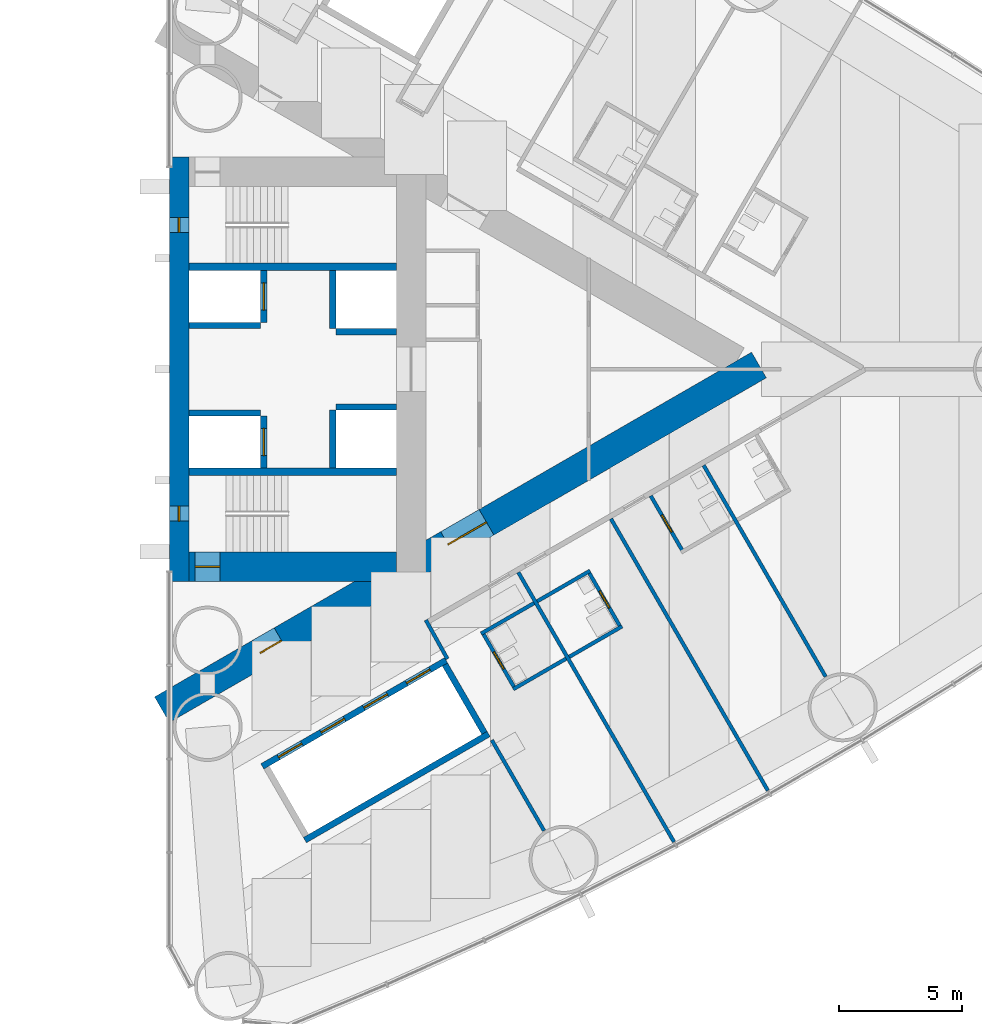
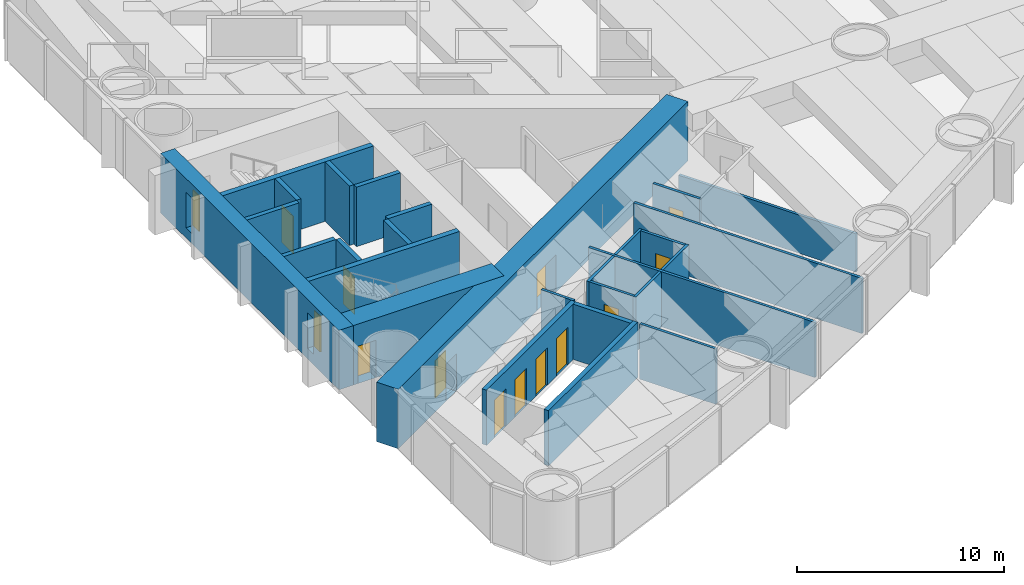
# One storey, part 14 of 19: 28 walls, 12 doors, 2 windows, 14 openings.
"""IFC4 building model written with IfcOpenShell, lengths in metres."""

from ifc_helpers import new_model, si_unit, direction, frame, frame_2d, origin, place, context, subcontext, project, spatial, rectangle, extrude, material, layer, layer_set, type_object, element, fill, save


model = new_model("IFC4")

# Units and contexts
model_context = context("Model", 3, precision=1e-05, world=origin(), true_north=direction((0.0, 1.0)))
body_context = subcontext(model_context, "Body", "Model", "MODEL_VIEW")
ifc_project = project(units=[si_unit("LENGTHUNIT", "METRE"), si_unit("AREAUNIT", "SQUARE_METRE"), si_unit("VOLUMEUNIT", "CUBIC_METRE"), si_unit("PLANEANGLEUNIT", "RADIAN"), si_unit("MASSUNIT", "GRAM", prefix="KILO")], contexts=[model_context])

# Site, building, storey
site_placement = place(None, origin())
site = spatial("IfcSite", under=ifc_project, at=site_placement, CompositionType="ELEMENT")
building_placement = place(site_placement, origin())
building = spatial("IfcBuilding", under=site, at=building_placement, Name="Lancet Gate Hotel", CompositionType="ELEMENT")
storey_placement = place(building_placement, frame((0.0, 0.0, 35.5)))
storey = spatial("IfcBuildingStorey", under=building, at=storey_placement, Name="L08", CompositionType="ELEMENT", Elevation=35.5)

# Wall
ifc_material_1 = material(Name="Moisture resistant board partition")
ifc_layer_1 = layer(ifc_material_1, 0.14990234375)
ifc_layer_set_1 = layer_set([ifc_layer_1], Name="Bathroom wall 150")
wall_type_1 = type_object("IfcWallType", Name="Bathroom wall 150", PredefinedType="PARTITIONING", material=ifc_layer_set_1)
wall_1_placement = place(storey_placement, frame((43.71240234375, -11.65673828125, 0.0), z_axis=(0.0, 0.0, 1.0), x_axis=(0.866006523861, 0.500032699561, 0.0)))
element("IfcWall", 1, at=wall_1_placement, inside=storey, type_object=wall_type_1, Name="T2 bathroom wall 150 L08", PredefinedType="PARTITIONING", context=body_context, shape_type="SweptSolid", body=[
    extrude(rectangle(XDim=2.474853515625, YDim=0.14990234375, at=frame_2d((1.2373046875, 0.0))), origin(), (0.0, 0.0, 1.0), 3.25),
])

# Wall, opening, door
wall_2_placement = place(storey_placement, frame((44.49072265625, -8.205078125, 0.0), z_axis=(0.0, 0.0, 1.0), x_axis=(0.500047596559, -0.865997922154, 0.0)))
wall_2 = element("IfcWall", 2, at=wall_2_placement, inside=storey, type_object=wall_type_1, Name="T2 bathroom wall 150 L08", PredefinedType="PARTITIONING", context=body_context, shape_type="SweptSolid", body=[
    extrude(rectangle(XDim=2.599853515625, YDim=0.14990234375, at=frame_2d((1.2998046875, 0.0))), origin(), (0.0, 0.0, 1.0), 3.25),
])
opening_1_placement = place(wall_2_placement, frame((0.89990234375, 0.0, 0.0)))
opening_1 = element("IfcOpeningElement", 3, at=opening_1_placement, cuts=wall_2, Name="Opening 0854-B", PredefinedType="OPENING", context=body_context, shape_type="SweptSolid", body=[
    extrude(rectangle(XDim=0.800048828125, YDim=2.199951171875, at=frame_2d((0.39990234375, 1.10009765625))), frame((0.0, 0.0849609375, 0.0), z_axis=(0.0, -1.0, 0.0), x_axis=(1.0, 0.0, 0.0)), (0.0, 0.0, 1.0), 0.169921875),
])
ifc_material_2 = material(Name="Timber door set", Category="wood")
door_type_1 = type_object("IfcDoorType", Name="Bathroom door 800", OperationType="SINGLE_SWING_RIGHT", PredefinedType="DOOR", material=ifc_material_2)
door_1_placement = place(opening_1_placement, origin())
door_1 = element("IfcDoor", 4, at=door_1_placement, inside=storey, type_object=door_type_1, Name="0854-B", OperationType="SINGLE_SWING_RIGHT", OverallHeight=2.199951171875, OverallWidth=0.800048828125, PredefinedType="DOOR", context=body_context, shape_type="SweptSolid", body=[
    extrude(rectangle(XDim=0.800048828125, YDim=2.199951171875, at=frame_2d((0.39990234375, 1.10009765625))), frame((0.0, 0.02490234375, 0.0), z_axis=(0.0, -1.0, 0.0), x_axis=(1.0, 0.0, 0.0)), (0.0, 0.0, 1.0), 0.050048828125),
])
fill(opening_1, door_1)

# Wall
wall_3_placement = place(storey_placement, frame((42.412353515625, -9.405029296875, 0.0), z_axis=(0.0, 0.0, 1.0), x_axis=(0.866006523861, 0.500032699561, 0.0)))
element("IfcWall", 5, at=wall_3_placement, inside=storey, type_object=wall_type_1, Name="T2 bathroom wall 150 L08", PredefinedType="PARTITIONING", context=body_context, shape_type="SweptSolid", body=[
    extrude(rectangle(XDim=2.474853515625, YDim=0.14990234375, at=frame_2d((1.2373046875, 0.0))), origin(), (0.0, 0.0, 1.0), 3.25),
])

# Wall, opening, door
wall_4_placement = place(storey_placement, frame((47.01611328125, -5.13037109375, 0.0), z_axis=(0.0, 0.0, 1.0), x_axis=(0.500006934395, -0.866021400173, 0.0)))
wall_4 = element("IfcWall", 6, at=wall_4_placement, inside=storey, type_object=wall_type_1, Name="T2 bathroom wall 150 L08", PredefinedType="PARTITIONING", context=body_context, shape_type="SweptSolid", body=[
    extrude(rectangle(XDim=2.60009765625, YDim=0.14990234375, at=frame_2d((1.300048828125, 0.0))), origin(), (0.0, 0.0, 1.0), 3.25),
])
opening_2_placement = place(wall_4_placement, frame((0.89990234375, 0.0, 0.0)))
opening_2 = element("IfcOpeningElement", 7, at=opening_2_placement, cuts=wall_4, Name="Opening 0855-B", PredefinedType="OPENING", context=body_context, shape_type="SweptSolid", body=[
    extrude(rectangle(XDim=0.800048828125, YDim=2.199951171875, at=frame_2d((0.39990234375, 1.10009765625))), frame((0.0, 0.0849609375, 0.0), z_axis=(0.0, -1.0, 0.0), x_axis=(1.0, 0.0, 0.0)), (0.0, 0.0, 1.0), 0.169921875),
])
door_2_placement = place(opening_2_placement, origin())
door_2 = element("IfcDoor", 8, at=door_2_placement, inside=storey, type_object=door_type_1, Name="0855-B", OperationType="SINGLE_SWING_RIGHT", OverallHeight=2.199951171875, OverallWidth=0.800048828125, PredefinedType="DOOR", context=body_context, shape_type="SweptSolid", body=[
    extrude(rectangle(XDim=0.800048828125, YDim=2.199951171875, at=frame_2d((0.39990234375, 1.10009765625))), frame((0.0, 0.02490234375, 0.0), z_axis=(0.0, -1.0, 0.0), x_axis=(1.0, 0.0, 0.0)), (0.0, 0.0, 1.0), 0.050048828125),
])
fill(opening_2, door_2)

# Wall
wall_5_placement = place(storey_placement, frame((41.43896484375, -12.96923828125, 0.0), z_axis=(0.0, 0.0, 1.0), x_axis=(0.866031185235, 0.4999899861, 0.0)))
element("IfcWall", 9, at=wall_5_placement, inside=storey, type_object=wall_type_1, Name="T2 bathroom wall 150 L08", PredefinedType="PARTITIONING", context=body_context, shape_type="SweptSolid", body=[
    extrude(rectangle(XDim=2.47509765625, YDim=0.14990234375, at=frame_2d((1.237548828125, 0.0))), origin(), (0.0, 0.0, 1.0), 3.25),
])

# Wall, opening, door
wall_6_placement = place(storey_placement, frame((40.203857421875, -10.679931640625, 0.0), z_axis=(0.0, 0.0, 1.0), x_axis=(0.500006934395, -0.866021400173, 0.0)))
wall_6 = element("IfcWall", 10, at=wall_6_placement, inside=storey, type_object=wall_type_1, Name="T2 bathroom wall 150 L08", PredefinedType="PARTITIONING", context=body_context, shape_type="SweptSolid", body=[
    extrude(rectangle(XDim=2.60009765625, YDim=0.14990234375, at=frame_2d((1.300048828125, 0.0))), origin(), (0.0, 0.0, 1.0), 3.25),
])
opening_3_placement = place(wall_6_placement, frame((0.89990234375, 0.0, 0.0)))
opening_3 = element("IfcOpeningElement", 11, at=opening_3_placement, cuts=wall_6, Name="Opening 0853-B", PredefinedType="OPENING", context=body_context, shape_type="SweptSolid", body=[
    extrude(rectangle(XDim=0.800048828125, YDim=2.199951171875, at=frame_2d((0.39990234375, 1.10009765625))), frame((0.0, 0.0849609375, 0.0), z_axis=(0.0, -1.0, 0.0), x_axis=(1.0, 0.0, 0.0)), (0.0, 0.0, 1.0), 0.169921875),
])
door_3_placement = place(opening_3_placement, origin())
door_3 = element("IfcDoor", 12, at=door_3_placement, inside=storey, type_object=door_type_1, Name="0853-B", OperationType="SINGLE_SWING_RIGHT", OverallHeight=2.199951171875, OverallWidth=0.800048828125, PredefinedType="DOOR", context=body_context, shape_type="SweptSolid", body=[
    extrude(rectangle(XDim=0.800048828125, YDim=2.199951171875, at=frame_2d((0.39990234375, 1.10009765625))), frame((0.0, 0.02490234375, 0.0), z_axis=(0.0, -1.0, 0.0), x_axis=(1.0, 0.0, 0.0)), (0.0, 0.0, 1.0), 0.050048828125),
])
fill(opening_3, door_3)

# Wall
wall_7_placement = place(storey_placement, frame((40.138916015625, -10.717529296875, 0.0), z_axis=(0.0, 0.0, 1.0), x_axis=(0.866031185235, 0.4999899861, 0.0)))
element("IfcWall", 13, at=wall_7_placement, inside=storey, type_object=wall_type_1, Name="T2 bathroom wall 150 L08", PredefinedType="PARTITIONING", context=body_context, shape_type="SweptSolid", body=[
    extrude(rectangle(XDim=2.47509765625, YDim=0.14990234375, at=frame_2d((1.237548828125, 0.0))), origin(), (0.0, 0.0, 1.0), 3.25),
])

# Wall, openings, doors
ifc_material_3 = material(Name="Concrete C70/85", Category="concrete")
ifc_layer_2 = layer(ifc_material_3, 1.199951171875)
ifc_layer_set_2 = layer_set([ifc_layer_2], Name="Buttress wall 1200")
wall_type_2 = type_object("IfcWallType", Name="Buttress wall 1200", PredefinedType="SHEAR", material=ifc_layer_set_2)
wall_8_placement = place(storey_placement, frame((27.199951171875, -13.800048828125, 0.0), z_axis=(0.0, 0.0, 1.0), x_axis=(0.866027159892, 0.499996958321, 0.0)))
wall_8 = element("IfcWall", 14, at=wall_8_placement, inside=storey, type_object=wall_type_2, Name="T2 buttress wall S L08", PredefinedType="SHEAR", context=body_context, shape_type="SweptSolid", body=[
    extrude(rectangle(XDim=27.946533203125, YDim=1.199951171875, at=frame_2d((13.97314453125, 0.0))), origin(), (0.0, 0.0, 1.0), 3.5),
])
opening_4_placement = place(wall_8_placement, frame((4.60009765625, 0.0, 0.0)))
opening_4 = element("IfcOpeningElement", 15, at=opening_4_placement, cuts=wall_8, Name="Opening T2-L08-LS", PredefinedType="OPENING", context=body_context, shape_type="SweptSolid", body=[
    extrude(rectangle(XDim=1.0, YDim=2.199951171875, at=frame_2d((0.5, 1.10009765625))), frame((0.0, 0.60986328125, 0.0), z_axis=(0.0, -1.0, 0.0), x_axis=(1.0, 0.0, 0.0)), (0.0, 0.0, 1.0), 1.219970703125),
])
opening_5_placement = place(wall_8_placement, frame((13.39453125, 0.0, 0.0)))
opening_5 = element("IfcOpeningElement", 16, at=opening_5_placement, cuts=wall_8, Name="Opening T2-L08-LHS", PredefinedType="OPENING", context=body_context, shape_type="SweptSolid", body=[
    extrude(rectangle(XDim=1.800048828125, YDim=2.199951171875, at=frame_2d((0.89990234375, 1.10009765625))), frame((0.0, 0.60986328125, 0.0), z_axis=(0.0, -1.0, 0.0), x_axis=(1.0, 0.0, 0.0)), (0.0, 0.0, 1.0), 1.219970703125),
])
ifc_material_4 = material(Name="Timber door set", Category="wood")
door_type_2 = type_object("IfcDoorType", Name="Lobby double door 1800", OperationType="DOUBLE_DOOR_SINGLE_SWING", PredefinedType="DOOR", material=ifc_material_4)
door_4_placement = place(opening_5_placement, origin())
door_4 = element("IfcDoor", 17, at=door_4_placement, inside=storey, type_object=door_type_2, Name="T2-L08-LHS", OperationType="DOUBLE_DOOR_SINGLE_SWING", OverallHeight=2.199951171875, OverallWidth=1.800048828125, PredefinedType="DOOR", context=body_context, shape_type="SweptSolid", body=[
    extrude(rectangle(XDim=1.800048828125, YDim=2.199951171875, at=frame_2d((0.89990234375, 1.10009765625))), frame((0.0, 0.02490234375, 0.0), z_axis=(0.0, -1.0, 0.0), x_axis=(1.0, 0.0, 0.0)), (0.0, 0.0, 1.0), 0.050048828125),
])
fill(opening_5, door_4)
ifc_material_5 = material(Name="Timber door set", Category="wood")
door_type_3 = type_object("IfcDoorType", Name="Stair lobby door 1000", OperationType="SINGLE_SWING_LEFT", PredefinedType="DOOR", material=ifc_material_5)
door_5_placement = place(opening_4_placement, origin())
door_5 = element("IfcDoor", 18, at=door_5_placement, inside=storey, type_object=door_type_3, Name="T2-L08-LS", OperationType="SINGLE_SWING_LEFT", OverallHeight=2.199951171875, OverallWidth=1.0, PredefinedType="DOOR", context=body_context, shape_type="SweptSolid", body=[
    extrude(rectangle(XDim=1.0, YDim=2.199951171875, at=frame_2d((0.5, 1.10009765625))), frame((0.0, 0.02490234375, 0.0), z_axis=(0.0, -1.0, 0.0), x_axis=(1.0, 0.0, 0.0)), (0.0, 0.0, 1.0), 0.050048828125),
])
fill(opening_4, door_5)

# Wall, opening, door
ifc_material_6 = material(Name="Concrete C70/85", Category="concrete")
ifc_layer_3 = layer(ifc_material_6, 1.199951171875)
ifc_layer_set_3 = layer_set([ifc_layer_3], Name="Core wall 1200")
wall_type_3 = type_object("IfcWallType", Name="Core wall 1200", PredefinedType="SHEAR", material=ifc_layer_set_3)
wall_9_placement = place(storey_placement, frame((28.300048828125, -8.0, 0.0), z_axis=(0.0, 0.0, 1.0), x_axis=(1.0, 0.0, 0.0)))
wall_9 = element("IfcWall", 19, at=wall_9_placement, inside=storey, type_object=wall_type_3, Name="T2 core wall side-S L08", PredefinedType="SHEAR", context=body_context, shape_type="SweptSolid", body=[
    extrude(rectangle(XDim=8.39990234375, YDim=1.199951171875, at=frame_2d((4.199951171875, 0.0))), origin(), (0.0, 0.0, 1.0), 3.5),
])
opening_6_placement = place(wall_9_placement, frame((0.25, 0.0, 0.0)))
opening_6 = element("IfcOpeningElement", 20, at=opening_6_placement, cuts=wall_9, Name="Opening T2-L08-ST1", PredefinedType="OPENING", context=body_context, shape_type="SweptSolid", body=[
    extrude(rectangle(XDim=1.0, YDim=2.199951171875, at=frame_2d((0.5, 1.10009765625))), frame((0.0, 0.60986328125, 0.0), z_axis=(0.0, -1.0, 0.0), x_axis=(1.0, 0.0, 0.0)), (0.0, 0.0, 1.0), 1.219970703125),
])
ifc_material_7 = material(Name="Timber door set", Category="wood")
door_type_4 = type_object("IfcDoorType", Name="Stair door 1000", OperationType="SINGLE_SWING_RIGHT", PredefinedType="DOOR", material=ifc_material_7)
door_6_placement = place(opening_6_placement, origin())
door_6 = element("IfcDoor", 21, at=door_6_placement, inside=storey, type_object=door_type_4, Name="T2-L08-ST1", OperationType="SINGLE_SWING_RIGHT", OverallHeight=2.199951171875, OverallWidth=1.0, PredefinedType="DOOR", context=body_context, shape_type="SweptSolid", body=[
    extrude(rectangle(XDim=1.0, YDim=2.199951171875, at=frame_2d((0.5, 1.10009765625))), frame((0.0, 0.02490234375, 0.0), z_axis=(0.0, -1.0, 0.0), x_axis=(1.0, 0.0, 0.0)), (0.0, 0.0, 1.0), 0.050048828125),
])
fill(opening_6, door_6)

# Wall, openings, windows
ifc_material_8 = material(Name="Concrete C70/85", Category="concrete")
ifc_layer_4 = layer(ifc_material_8, 0.800048828125)
ifc_layer_set_4 = layer_set([ifc_layer_4], Name="Core wall 800")
wall_type_4 = type_object("IfcWallType", Name="Core wall 800", PredefinedType="SHEAR", material=ifc_layer_set_4)
wall_10_placement = place(storey_placement, frame((27.89990234375, -8.60009765625, 0.0), z_axis=(0.0, 0.0, 1.0), x_axis=(0.0, 1.0, 0.0)))
wall_10 = element("IfcWall", 22, at=wall_10_placement, inside=storey, type_object=wall_type_4, Name="T2 core wall front L08", PredefinedType="SHEAR", context=body_context, shape_type="SweptSolid", body=[
    extrude(rectangle(XDim=17.2001953125, YDim=0.800048828125, at=frame_2d((8.60009765625, 0.0))), origin(), (0.0, 0.0, 1.0), 3.5),
])
opening_7_placement = place(wall_10_placement, frame((2.449951171875, 0.0, 0.60009765625)))
opening_7 = element("IfcOpeningElement", 23, at=opening_7_placement, cuts=wall_10, Name="Opening LW1", PredefinedType="OPENING", context=body_context, shape_type="SweptSolid", body=[
    extrude(rectangle(XDim=0.60009765625, YDim=2.10009765625, at=frame_2d((0.300048828125, 1.050048828125))), frame((0.0, 0.409912109375, 0.0), z_axis=(0.0, -1.0, 0.0), x_axis=(1.0, 0.0, 0.0)), (0.0, 0.0, 1.0), 0.820068359375),
])
opening_8_placement = place(wall_10_placement, frame((14.14990234375, 0.0, 0.60009765625)))
opening_8 = element("IfcOpeningElement", 24, at=opening_8_placement, cuts=wall_10, Name="Opening LW1", PredefinedType="OPENING", context=body_context, shape_type="SweptSolid", body=[
    extrude(rectangle(XDim=0.60009765625, YDim=2.10009765625, at=frame_2d((0.300048828125, 1.050048828125))), frame((0.0, 0.409912109375, 0.0), z_axis=(0.0, -1.0, 0.0), x_axis=(1.0, 0.0, 0.0)), (0.0, 0.0, 1.0), 0.820068359375),
])
ifc_material_9 = material(Name="Fire-resisting glazed steel window", Category="steel")
window_type = type_object("IfcWindowType", Name="Lancet window 600x2100", PartitioningType="SINGLE_PANEL", PredefinedType="WINDOW", material=ifc_material_9)
window_1_placement = place(opening_7_placement, origin())
window_1 = element("IfcWindow", 25, at=window_1_placement, inside=storey, type_object=window_type, Name="T2 stair window S L08", OverallHeight=2.10009765625, OverallWidth=0.60009765625, PartitioningType="SINGLE_PANEL", PredefinedType="WINDOW", context=body_context, shape_type="SweptSolid", body=[
    extrude(rectangle(XDim=0.60009765625, YDim=2.10009765625, at=frame_2d((0.300048828125, 1.050048828125))), frame((0.0, 0.030029296875, 0.0), z_axis=(0.0, -1.0, 0.0), x_axis=(1.0, 0.0, 0.0)), (0.0, 0.0, 1.0), 0.06005859375),
])
fill(opening_7, window_1)
window_2_placement = place(opening_8_placement, origin())
window_2 = element("IfcWindow", 26, at=window_2_placement, inside=storey, type_object=window_type, Name="T2 stair window N L08", OverallHeight=2.10009765625, OverallWidth=0.60009765625, PartitioningType="SINGLE_PANEL", PredefinedType="WINDOW", context=body_context, shape_type="SweptSolid", body=[
    extrude(rectangle(XDim=0.60009765625, YDim=2.10009765625, at=frame_2d((0.300048828125, 1.050048828125))), frame((0.0, 0.030029296875, 0.0), z_axis=(0.0, -1.0, 0.0), x_axis=(1.0, 0.0, 0.0)), (0.0, 0.0, 1.0), 0.06005859375),
])
fill(opening_8, window_2)

# Wall, openings, doors
ifc_material_10 = material(Name="Gypsum board partition")
ifc_layer_5 = layer(ifc_material_10, 0.25)
ifc_layer_set_5 = layer_set([ifc_layer_5], Name="Lift shaft partition 250")
wall_type_5 = type_object("IfcWallType", Name="Lift shaft partition 250", PredefinedType="PARTITIONING", material=ifc_layer_set_5)
wall_11_placement = place(storey_placement, frame((31.2705078125, -16.09716796875, 0.0), z_axis=(0.0, 0.0, 1.0), x_axis=(0.86604045752, 0.499973925258, 0.0)))
wall_11 = element("IfcWall", 27, at=wall_11_placement, inside=storey, type_object=wall_type_5, Name="T2 lift shaft wall LR L08", PredefinedType="PARTITIONING", context=body_context, shape_type="SweptSolid", body=[
    extrude(rectangle(XDim=8.60009765625, YDim=0.25, at=frame_2d((4.300048828125, 0.0))), origin(), (0.0, 0.0, 1.0), 3.25),
])
opening_9_placement = place(wall_11_placement, frame((0.75, 0.0, 0.0)))
opening_9 = element("IfcOpeningElement", 28, at=opening_9_placement, cuts=wall_11, Name="Opening T2-LR1-L08", PredefinedType="OPENING", context=body_context, shape_type="SweptSolid", body=[
    extrude(rectangle(XDim=1.10009765625, YDim=2.199951171875, at=frame_2d((0.550048828125, 1.10009765625))), frame((0.0, 0.135009765625, 0.0), z_axis=(0.0, -1.0, 0.0), x_axis=(1.0, 0.0, 0.0)), (0.0, 0.0, 1.0), 0.27001953125),
])
opening_10_placement = place(wall_11_placement, frame((2.75, 0.0, 0.0)))
opening_10 = element("IfcOpeningElement", 29, at=opening_10_placement, cuts=wall_11, Name="Opening T2-LR2-L08", PredefinedType="OPENING", context=body_context, shape_type="SweptSolid", body=[
    extrude(rectangle(XDim=1.10009765625, YDim=2.199951171875, at=frame_2d((0.550048828125, 1.10009765625))), frame((0.0, 0.135009765625, 0.0), z_axis=(0.0, -1.0, 0.0), x_axis=(1.0, 0.0, 0.0)), (0.0, 0.0, 1.0), 0.27001953125),
])
opening_11_placement = place(wall_11_placement, frame((4.75, 0.0, 0.0)))
opening_11 = element("IfcOpeningElement", 30, at=opening_11_placement, cuts=wall_11, Name="Opening T2-LR3-L08", PredefinedType="OPENING", context=body_context, shape_type="SweptSolid", body=[
    extrude(rectangle(XDim=1.10009765625, YDim=2.199951171875, at=frame_2d((0.550048828125, 1.10009765625))), frame((0.0, 0.135009765625, 0.0), z_axis=(0.0, -1.0, 0.0), x_axis=(1.0, 0.0, 0.0)), (0.0, 0.0, 1.0), 0.27001953125),
])
opening_12_placement = place(wall_11_placement, frame((6.75, 0.0, 0.0)))
opening_12 = element("IfcOpeningElement", 31, at=opening_12_placement, cuts=wall_11, Name="Opening T2-LR4-L08", PredefinedType="OPENING", context=body_context, shape_type="SweptSolid", body=[
    extrude(rectangle(XDim=1.10009765625, YDim=2.199951171875, at=frame_2d((0.550048828125, 1.10009765625))), frame((0.0, 0.135009765625, 0.0), z_axis=(0.0, -1.0, 0.0), x_axis=(1.0, 0.0, 0.0)), (0.0, 0.0, 1.0), 0.27001953125),
])
ifc_material_11 = material(Name="Steel door set", Category="steel")
door_type_5 = type_object("IfcDoorType", Name="Lift landing door 1100", OperationType="DOUBLE_DOOR_SLIDING", PredefinedType="USERDEFINED", material=ifc_material_11)
door_7_placement = place(opening_9_placement, origin())
door_7 = element("IfcDoor", 32, at=door_7_placement, inside=storey, type_object=door_type_5, Name="T2-LR1-L08", ObjectType="LIFT LANDING DOOR", OperationType="DOUBLE_DOOR_SLIDING", OverallHeight=2.199951171875, OverallWidth=1.10009765625, PredefinedType="USERDEFINED", context=body_context, shape_type="SweptSolid", body=[
    extrude(rectangle(XDim=1.10009765625, YDim=2.199951171875, at=frame_2d((0.550048828125, 1.10009765625))), frame((0.0, 0.02490234375, 0.0), z_axis=(0.0, -1.0, 0.0), x_axis=(1.0, 0.0, 0.0)), (0.0, 0.0, 1.0), 0.050048828125),
])
fill(opening_9, door_7)
door_8_placement = place(opening_10_placement, origin())
door_8 = element("IfcDoor", 33, at=door_8_placement, inside=storey, type_object=door_type_5, Name="T2-LR2-L08", ObjectType="LIFT LANDING DOOR", OperationType="DOUBLE_DOOR_SLIDING", OverallHeight=2.199951171875, OverallWidth=1.10009765625, PredefinedType="USERDEFINED", context=body_context, shape_type="SweptSolid", body=[
    extrude(rectangle(XDim=1.10009765625, YDim=2.199951171875, at=frame_2d((0.550048828125, 1.10009765625))), frame((0.0, 0.02490234375, 0.0), z_axis=(0.0, -1.0, 0.0), x_axis=(1.0, 0.0, 0.0)), (0.0, 0.0, 1.0), 0.050048828125),
])
fill(opening_10, door_8)
door_9_placement = place(opening_11_placement, origin())
door_9 = element("IfcDoor", 34, at=door_9_placement, inside=storey, type_object=door_type_5, Name="T2-LR3-L08", ObjectType="LIFT LANDING DOOR", OperationType="DOUBLE_DOOR_SLIDING", OverallHeight=2.199951171875, OverallWidth=1.10009765625, PredefinedType="USERDEFINED", context=body_context, shape_type="SweptSolid", body=[
    extrude(rectangle(XDim=1.10009765625, YDim=2.199951171875, at=frame_2d((0.550048828125, 1.10009765625))), frame((0.0, 0.02490234375, 0.0), z_axis=(0.0, -1.0, 0.0), x_axis=(1.0, 0.0, 0.0)), (0.0, 0.0, 1.0), 0.050048828125),
])
fill(opening_11, door_9)
door_10_placement = place(opening_12_placement, origin())
door_10 = element("IfcDoor", 35, at=door_10_placement, inside=storey, type_object=door_type_5, Name="T2-LR4-L08", ObjectType="LIFT LANDING DOOR", OperationType="DOUBLE_DOOR_SLIDING", OverallHeight=2.199951171875, OverallWidth=1.10009765625, PredefinedType="USERDEFINED", context=body_context, shape_type="SweptSolid", body=[
    extrude(rectangle(XDim=1.10009765625, YDim=2.199951171875, at=frame_2d((0.550048828125, 1.10009765625))), frame((0.0, 0.02490234375, 0.0), z_axis=(0.0, -1.0, 0.0), x_axis=(1.0, 0.0, 0.0)), (0.0, 0.0, 1.0), 0.050048828125),
])
fill(opening_12, door_10)

# Walls
wall_12_placement = place(storey_placement, frame((32.99560546875, -19.085693359375, 0.0), z_axis=(0.0, 0.0, 1.0), x_axis=(0.866028165386, 0.499995216735, 0.0)))
element("IfcWall", 36, at=wall_12_placement, inside=storey, type_object=wall_type_5, Name="T2 lift shaft wall LR L08", PredefinedType="PARTITIONING", context=body_context, shape_type="SweptSolid", body=[
    extrude(rectangle(XDim=8.60009765625, YDim=0.25, at=frame_2d((4.300048828125, 0.0))), origin(), (0.0, 0.0, 1.0), 3.25),
])
wall_13_placement = place(storey_placement, frame((38.672607421875, -11.968017578125, 0.0), z_axis=(0.0, 0.0, 1.0), x_axis=(0.499929347863, -0.866066190972, 0.0)))
element("IfcWall", 37, at=wall_13_placement, inside=storey, type_object=wall_type_5, Name="T2 lift shaft wall LR L08", PredefinedType="PARTITIONING", context=body_context, shape_type="SweptSolid", body=[
    extrude(rectangle(XDim=3.20068359375, YDim=0.25, at=frame_2d((1.600341796875, 0.0))), origin(), (0.0, 0.0, 1.0), 3.25),
])

# Wall, opening, door
ifc_material_12 = material(Name="Concrete C50/60", Category="concrete")
ifc_layer_6 = layer(ifc_material_12, 0.25)
ifc_layer_set_6 = layer_set([ifc_layer_6], Name="Lift shaft wall 250")
wall_type_6 = type_object("IfcWallType", Name="Lift shaft wall 250", PredefinedType="SHEAR", material=ifc_layer_set_6)
wall_14_placement = place(storey_placement, frame((31.324951171875, -4.0, 0.0), z_axis=(0.0, 0.0, 1.0), x_axis=(0.0, 1.0, 0.0)))
wall_14 = element("IfcWall", 38, at=wall_14_placement, inside=storey, type_object=wall_type_6, Name="T2 core wall row1-S L08", PredefinedType="SHEAR", context=body_context, shape_type="SweptSolid", body=[
    extrude(rectangle(XDim=2.10009765625, YDim=0.25, at=frame_2d((1.050048828125, 0.0))), origin(), (0.0, 0.0, 1.0), 3.5),
])
opening_13_placement = place(wall_14_placement, frame((0.5, 0.0, 0.0)))
opening_13 = element("IfcOpeningElement", 39, at=opening_13_placement, cuts=wall_14, Name="Opening T2-SL1-L08", PredefinedType="OPENING", context=body_context, shape_type="SweptSolid", body=[
    extrude(rectangle(XDim=1.10009765625, YDim=2.199951171875, at=frame_2d((0.550048828125, 1.10009765625))), frame((0.0, 0.135009765625, 0.0), z_axis=(0.0, -1.0, 0.0), x_axis=(1.0, 0.0, 0.0)), (0.0, 0.0, 1.0), 0.27001953125),
])
ifc_material_13 = material(Name="Timber door set", Category="wood")
door_type_6 = type_object("IfcDoorType", Name="Service lift landing door 1100", OperationType="SLIDING_TO_LEFT", PredefinedType="USERDEFINED", material=ifc_material_13)
door_11_placement = place(opening_13_placement, origin())
door_11 = element("IfcDoor", 40, at=door_11_placement, inside=storey, type_object=door_type_6, Name="T2-SL1-L08", ObjectType="LIFT LANDING DOOR", OperationType="SLIDING_TO_LEFT", OverallHeight=2.199951171875, OverallWidth=1.10009765625, PredefinedType="USERDEFINED", context=body_context, shape_type="SweptSolid", body=[
    extrude(rectangle(XDim=1.10009765625, YDim=2.199951171875, at=frame_2d((0.550048828125, 1.10009765625))), frame((0.0, 0.02490234375, 0.0), z_axis=(0.0, -1.0, 0.0), x_axis=(1.0, 0.0, 0.0)), (0.0, 0.0, 1.0), 0.050048828125),
])
fill(opening_13, door_11)

# Walls
wall_15_placement = place(storey_placement, frame((34.125, -4.0, 0.0), z_axis=(0.0, 0.0, 1.0), x_axis=(0.0, 1.0, 0.0)))
element("IfcWall", 41, at=wall_15_placement, inside=storey, type_object=wall_type_6, Name="T2 core wall row2-S L08", PredefinedType="SHEAR", context=body_context, shape_type="SweptSolid", body=[
    extrude(rectangle(XDim=2.35009765625, YDim=0.25, at=frame_2d((1.175048828125, 0.0))), origin(), (0.0, 0.0, 1.0), 3.5),
])
wall_16_placement = place(storey_placement, frame((28.300048828125, -1.77490234375, 0.0), z_axis=(0.0, 0.0, 1.0), x_axis=(1.0, 0.0, 0.0)))
element("IfcWall", 42, at=wall_16_placement, inside=storey, type_object=wall_type_6, Name="T2 core wall pass1-S L08", PredefinedType="SHEAR", context=body_context, shape_type="SweptSolid", body=[
    extrude(rectangle(XDim=2.89990234375, YDim=0.25, at=frame_2d((1.449951171875, 0.0))), origin(), (0.0, 0.0, 1.0), 3.5),
])
wall_17_placement = place(storey_placement, frame((34.25, -1.52490234375, 0.0), z_axis=(0.0, 0.0, 1.0), x_axis=(1.0, 0.0, 0.0)))
element("IfcWall", 43, at=wall_17_placement, inside=storey, type_object=wall_type_6, Name="T2 core wall pass2-S L08", PredefinedType="SHEAR", context=body_context, shape_type="SweptSolid", body=[
    extrude(rectangle(XDim=2.449951171875, YDim=0.25, at=frame_2d((1.22509765625, 0.0))), origin(), (0.0, 0.0, 1.0), 3.5),
])

# Wall, opening, door
wall_18_placement = place(storey_placement, frame((31.324951171875, 1.89990234375, 0.0), z_axis=(0.0, 0.0, 1.0), x_axis=(0.0, 1.0, 0.0)))
wall_18 = element("IfcWall", 44, at=wall_18_placement, inside=storey, type_object=wall_type_6, Name="T2 core wall row1-N L08", PredefinedType="SHEAR", context=body_context, shape_type="SweptSolid", body=[
    extrude(rectangle(XDim=2.10009765625, YDim=0.25, at=frame_2d((1.050048828125, 0.0))), origin(), (0.0, 0.0, 1.0), 3.5),
])
opening_14_placement = place(wall_18_placement, frame((0.5, 0.0, 0.0)))
opening_14 = element("IfcOpeningElement", 45, at=opening_14_placement, cuts=wall_18, Name="Opening T2-FL2-L08", PredefinedType="OPENING", context=body_context, shape_type="SweptSolid", body=[
    extrude(rectangle(XDim=1.10009765625, YDim=2.199951171875, at=frame_2d((0.550048828125, 1.10009765625))), frame((0.0, 0.135009765625, 0.0), z_axis=(0.0, -1.0, 0.0), x_axis=(1.0, 0.0, 0.0)), (0.0, 0.0, 1.0), 0.27001953125),
])
ifc_material_14 = material(Name="Steel door set", Category="steel")
door_type_7 = type_object("IfcDoorType", Name="Firefighting lift landing door 1100", OperationType="SLIDING_TO_LEFT", PredefinedType="USERDEFINED", material=ifc_material_14)
door_12_placement = place(opening_14_placement, origin())
door_12 = element("IfcDoor", 46, at=door_12_placement, inside=storey, type_object=door_type_7, Name="T2-FL2-L08", ObjectType="LIFT LANDING DOOR", OperationType="SLIDING_TO_LEFT", OverallHeight=2.199951171875, OverallWidth=1.10009765625, PredefinedType="USERDEFINED", context=body_context, shape_type="SweptSolid", body=[
    extrude(rectangle(XDim=1.10009765625, YDim=2.199951171875, at=frame_2d((0.550048828125, 1.10009765625))), frame((0.0, 0.02490234375, 0.0), z_axis=(0.0, -1.0, 0.0), x_axis=(1.0, 0.0, 0.0)), (0.0, 0.0, 1.0), 0.050048828125),
])
fill(opening_14, door_12)

# Walls
wall_19_placement = place(storey_placement, frame((34.125, 1.64990234375, 0.0), z_axis=(0.0, 0.0, 1.0), x_axis=(0.0, 1.0, 0.0)))
element("IfcWall", 47, at=wall_19_placement, inside=storey, type_object=wall_type_6, Name="T2 core wall row2-N L08", PredefinedType="SHEAR", context=body_context, shape_type="SweptSolid", body=[
    extrude(rectangle(XDim=2.35009765625, YDim=0.25, at=frame_2d((1.175048828125, 0.0))), origin(), (0.0, 0.0, 1.0), 3.5),
])
wall_20_placement = place(storey_placement, frame((28.300048828125, 1.77490234375, 0.0), z_axis=(0.0, 0.0, 1.0), x_axis=(1.0, 0.0, 0.0)))
element("IfcWall", 48, at=wall_20_placement, inside=storey, type_object=wall_type_6, Name="T2 core wall pass1-N L08", PredefinedType="SHEAR", context=body_context, shape_type="SweptSolid", body=[
    extrude(rectangle(XDim=2.89990234375, YDim=0.25, at=frame_2d((1.449951171875, 0.0))), origin(), (0.0, 0.0, 1.0), 3.5),
])
wall_21_placement = place(storey_placement, frame((34.25, 1.52490234375, 0.0), z_axis=(0.0, 0.0, 1.0), x_axis=(1.0, 0.0, 0.0)))
element("IfcWall", 49, at=wall_21_placement, inside=storey, type_object=wall_type_6, Name="T2 core wall pass2-N L08", PredefinedType="SHEAR", context=body_context, shape_type="SweptSolid", body=[
    extrude(rectangle(XDim=2.449951171875, YDim=0.25, at=frame_2d((1.22509765625, 0.0))), origin(), (0.0, 0.0, 1.0), 3.5),
])
ifc_material_15 = material(Name="Gypsum board partition")
ifc_layer_7 = layer(ifc_material_15, 0.14990234375)
ifc_layer_set_7 = layer_set([ifc_layer_7], Name="Party wall 150")
wall_type_7 = type_object("IfcWallType", Name="Party wall 150", PredefinedType="PARTITIONING", material=ifc_layer_set_7)
wall_22_placement = place(storey_placement, frame((41.6474609375, -8.22998046875, 0.0), z_axis=(0.0, 0.0, 1.0), x_axis=(0.49998590462, -0.866033541603, 0.0)))
element("IfcWall", 50, at=wall_22_placement, inside=storey, type_object=wall_type_7, Name="T2 party wall 150 L08", PredefinedType="PARTITIONING", context=body_context, shape_type="SweptSolid", body=[
    extrude(rectangle(XDim=12.620849609375, YDim=0.14990234375, at=frame_2d((6.310546875, 0.0))), origin(), (0.0, 0.0, 1.0), 3.25),
])
wall_23_placement = place(storey_placement, frame((45.40283203125, -6.061767578125, 0.0), z_axis=(0.0, 0.0, 1.0), x_axis=(0.500007077968, -0.866021317279, 0.0)))
element("IfcWall", 51, at=wall_23_placement, inside=storey, type_object=wall_type_7, Name="T2 party wall 150 L08", PredefinedType="PARTITIONING", context=body_context, shape_type="SweptSolid", body=[
    extrude(rectangle(XDim=12.721435546875, YDim=0.14990234375, at=frame_2d((6.36083984375, 0.0))), origin(), (0.0, 0.0, 1.0), 3.25),
])
wall_24_placement = place(storey_placement, frame((49.159423828125, -3.892822265625, 0.0), z_axis=(0.0, 0.0, 1.0), x_axis=(0.499998773722, -0.866026111775, 0.0)))
element("IfcWall", 52, at=wall_24_placement, inside=storey, type_object=wall_type_7, Name="T2 party wall 150 L08", PredefinedType="PARTITIONING", context=body_context, shape_type="SweptSolid", body=[
    extrude(rectangle(XDim=9.8916015625, YDim=0.14990234375, at=frame_2d((4.94580078125, 0.0))), origin(), (0.0, 0.0, 1.0), 2.25),
])
wall_25_placement = place(storey_placement, frame((40.5703125, -15.030029296875, 0.0), z_axis=(0.0, 0.0, 1.0), x_axis=(0.500012993597, -0.866017901798, 0.0)))
element("IfcWall", 53, at=wall_25_placement, inside=storey, type_object=wall_type_7, Name="T2 party wall 150 L08", PredefinedType="PARTITIONING", context=body_context, shape_type="SweptSolid", body=[
    extrude(rectangle(XDim=4.2431640625, YDim=0.14990234375, at=frame_2d((2.12158203125, 0.0))), origin(), (0.0, 0.0, 1.0), 3.25),
])
ifc_material_16 = material(Name="Gypsum board partition")
ifc_layer_8 = layer(ifc_material_16, 0.14990234375)
ifc_layer_set_8 = layer_set([ifc_layer_8], Name="Service room wall 150")
wall_type_8 = type_object("IfcWallType", Name="Service room wall 150", PredefinedType="PARTITIONING", material=ifc_layer_set_8)
wall_26_placement = place(storey_placement, frame((38.7734375, -11.742431640625, 0.0), z_axis=(0.0, 0.0, 1.0), x_axis=(-0.485528096672, 0.8742210632, 0.0)))
element("IfcWall", 54, at=wall_26_placement, inside=storey, type_object=wall_type_8, Name="T2 service room wall 150 L08", PredefinedType="PARTITIONING", context=body_context, shape_type="SweptSolid", body=[
    extrude(rectangle(XDim=1.80517578125, YDim=0.14990234375, at=frame_2d((0.902587890625, 0.0))), origin(), (0.0, 0.0, 1.0), 3.25),
])
ifc_material_17 = material(Name="Concrete C50/60", Category="concrete")
ifc_layer_9 = layer(ifc_material_17, 0.300048828125)
ifc_layer_set_9 = layer_set([ifc_layer_9], Name="Stair enclosure wall 300")
wall_type_9 = type_object("IfcWallType", Name="Stair enclosure wall 300", PredefinedType="SHEAR", material=ifc_layer_set_9)
for number, where, z_axis, x_axis, name in (
    (55, (28.300048828125, -4.14990234375, 0.0), (0.0, 0.0, 1.0), (1.0, 0.0, 0.0), "T2 core wall stair-S L08"),
    (56, (28.300048828125, 4.14990234375, 0.0), (0.0, 0.0, 1.0), (1.0, 0.0, 0.0), "T2 core wall stair-N L08"),
):
    element("IfcWall", number, at=place(storey_placement, frame(where, z_axis=z_axis, x_axis=x_axis)), inside=storey, type_object=wall_type_9, Name=name, PredefinedType="SHEAR", context=body_context, shape_type="SweptSolid", body=[
        extrude(rectangle(XDim=8.39990234375, YDim=0.300048828125, at=frame_2d((4.199951171875, 0.0))), origin(), (0.0, 0.0, 1.0), 3.5),
    ])

save(model, "model.ifc")
